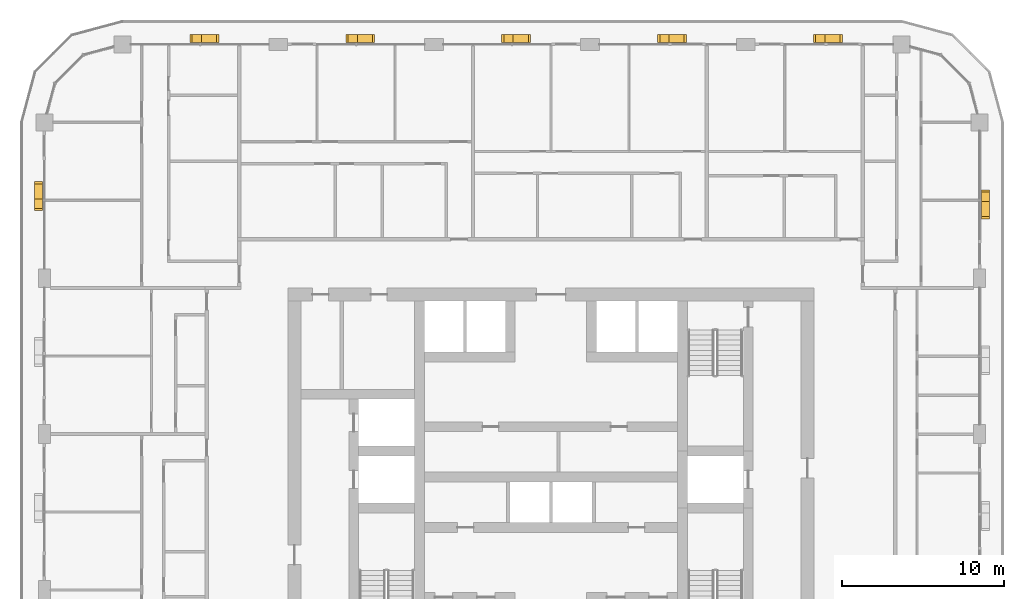
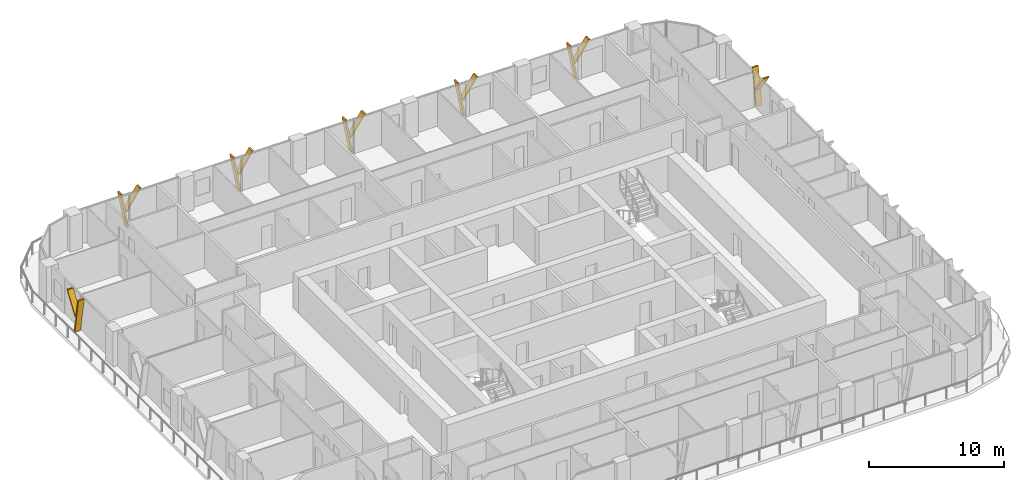
# One storey, part 22 of 22: 14 shading devices.
"""IFC4 building model written with IfcOpenShell, lengths in metres."""

from ifc_helpers import new_model, si_unit, direction, frame, origin, place, context, subcontext, project, spatial, polyline, outline, extrude, material, type_object, element, save


model = new_model("IFC4")

# Units and contexts
model_context = context("Model", 3, precision=1e-05, world=origin(), true_north=direction((0.0, 1.0)))
body_context = subcontext(model_context, "Body", "Model", "MODEL_VIEW")
ifc_project = project(units=[si_unit("LENGTHUNIT", "METRE"), si_unit("AREAUNIT", "SQUARE_METRE"), si_unit("VOLUMEUNIT", "CUBIC_METRE"), si_unit("PLANEANGLEUNIT", "RADIAN"), si_unit("MASSUNIT", "GRAM", prefix="KILO")], contexts=[model_context])

# Site, building, storey
site_placement = place(None, origin())
site = spatial("IfcSite", under=ifc_project, at=site_placement, CompositionType="ELEMENT")
building_placement = place(site_placement, origin())
building = spatial("IfcBuilding", under=site, at=building_placement, Name="Madar Terraces", CompositionType="ELEMENT")
storey_placement = place(building_placement, frame((0.0, 0.0, 119.10009765625)))
storey = spatial("IfcBuildingStorey", under=building, at=storey_placement, Name="L30", CompositionType="ELEMENT", Elevation=119.10009765625)

# Shading devices
ifc_material = material(Name="Aluminium, black anodised", Category="aluminium")
shading_device_type = type_object("IfcShadingDeviceType", Name="Facade fin blade 140 x 500", PredefinedType="USERDEFINED", material=ifc_material)
shading_device_1_placement = place(storey_placement, frame((57.949951171875, 43.1298828125, 0.0), z_axis=(0.0, 0.0, 1.0), x_axis=(0.0, 1.0, 0.0)))
element("IfcShadingDevice", 1, at=shading_device_1_placement, inside=storey, type_object=shading_device_type, Name="FIN L30 E4", ObjectType="FIN", PredefinedType="USERDEFINED", context=body_context, shape_type="SweptSolid", body=[
    extrude(outline(polyline([(0.0, 0.0), (0.14013671875, 0.0), (0.704345703125, 3.199951171875), (0.564208984375, 3.199951171875), (0.0, 0.0)])), frame((0.0, 0.25, 0.0), z_axis=(0.0, -1.0, 0.0), x_axis=(1.0, 0.0, 0.0)), (0.0, 0.0, 1.0), 0.5),
])
shading_device_2_placement = place(storey_placement, frame((57.949951171875, 43.243896484375, 1.43994140625), z_axis=(0.0, 0.0, 1.0), x_axis=(0.0, 1.0, 0.0)))
element("IfcShadingDevice", 2, at=shading_device_2_placement, inside=storey, type_object=shading_device_type, Name="FIN L30 E4 branch", ObjectType="FIN", PredefinedType="USERDEFINED", context=body_context, shape_type="SweptSolid", body=[
    extrude(outline(polyline([(0.0, 0.0), (0.139892578125, 0.0), (-1.049560546875, 1.760009765625), (-1.189697265625, 1.760009765625), (0.0, 0.0)])), frame((0.0, 0.25, 0.0), z_axis=(0.0, -1.0, 0.0), x_axis=(1.0, 0.0, 0.0)), (0.0, 0.0, 1.0), 0.5),
])
shading_device_3_placement = place(storey_placement, frame((48.070068359375, 53.14990234375, 0.0), z_axis=(0.0, 0.0, 1.0), x_axis=(-1.0, 0.0, 0.0)))
element("IfcShadingDevice", 3, at=shading_device_3_placement, inside=storey, type_object=shading_device_type, Name="FIN L30 N1", ObjectType="FIN", PredefinedType="USERDEFINED", context=body_context, shape_type="SweptSolid", body=[
    extrude(outline(polyline([(0.0, 0.0), (0.14013671875, 0.0), (0.704345703125, 3.199951171875), (0.564208984375, 3.199951171875), (0.0, 0.0)])), frame((0.0, 0.25, 0.0), z_axis=(0.0, -1.0, 0.0), x_axis=(1.0, 0.0, 0.0)), (0.0, 0.0, 1.0), 0.5),
])
shading_device_4_placement = place(storey_placement, frame((47.9560546875, 53.14990234375, 1.43994140625), z_axis=(0.0, 0.0, 1.0), x_axis=(-1.0, 0.0, 0.0)))
element("IfcShadingDevice", 4, at=shading_device_4_placement, inside=storey, type_object=shading_device_type, Name="FIN L30 N1 branch", ObjectType="FIN", PredefinedType="USERDEFINED", context=body_context, shape_type="SweptSolid", body=[
    extrude(outline(polyline([(0.0, 0.0), (0.139892578125, 0.0), (-1.049560546875, 1.760009765625), (-1.189697265625, 1.760009765625), (0.0, 0.0)])), frame((0.0, 0.25, 0.0), z_axis=(0.0, -1.0, 0.0), x_axis=(1.0, 0.0, 0.0)), (0.0, 0.0, 1.0), 0.5),
])
shading_device_5_placement = place(storey_placement, frame((38.469970703125, 53.14990234375, 0.0), z_axis=(0.0, 0.0, 1.0), x_axis=(-1.0, 0.0, 0.0)))
element("IfcShadingDevice", 5, at=shading_device_5_placement, inside=storey, type_object=shading_device_type, Name="FIN L30 N2", ObjectType="FIN", PredefinedType="USERDEFINED", context=body_context, shape_type="SweptSolid", body=[
    extrude(outline(polyline([(0.0, 0.0), (0.139892578125, 0.0), (0.704345703125, 3.199951171875), (0.564208984375, 3.199951171875), (0.0, 0.0)])), frame((0.0, 0.25, 0.0), z_axis=(0.0, -1.0, 0.0), x_axis=(1.0, 0.0, 0.0)), (0.0, 0.0, 1.0), 0.5),
])
shading_device_6_placement = place(storey_placement, frame((38.356201171875, 53.14990234375, 1.43994140625), z_axis=(0.0, 0.0, 1.0), x_axis=(-1.0, 0.0, 0.0)))
element("IfcShadingDevice", 6, at=shading_device_6_placement, inside=storey, type_object=shading_device_type, Name="FIN L30 N2 branch", ObjectType="FIN", PredefinedType="USERDEFINED", context=body_context, shape_type="SweptSolid", body=[
    extrude(outline(polyline([(0.0, 0.0), (0.14013671875, 0.0), (-1.049560546875, 1.760009765625), (-1.189697265625, 1.760009765625), (0.0, 0.0)])), frame((0.0, 0.25, 0.0), z_axis=(0.0, -1.0, 0.0), x_axis=(1.0, 0.0, 0.0)), (0.0, 0.0, 1.0), 0.5),
])
shading_device_7_placement = place(storey_placement, frame((28.8701171875, 53.14990234375, 0.0), z_axis=(0.0, 0.0, 1.0), x_axis=(-1.0, 0.0, 0.0)))
element("IfcShadingDevice", 7, at=shading_device_7_placement, inside=storey, type_object=shading_device_type, Name="FIN L30 N3", ObjectType="FIN", PredefinedType="USERDEFINED", context=body_context, shape_type="SweptSolid", body=[
    extrude(outline(polyline([(0.0, 0.0), (0.14013671875, 0.0), (0.704345703125, 3.199951171875), (0.564208984375, 3.199951171875), (0.0, 0.0)])), frame((0.0, 0.25, 0.0), z_axis=(0.0, -1.0, 0.0), x_axis=(1.0, 0.0, 0.0)), (0.0, 0.0, 1.0), 0.5),
])
shading_device_8_placement = place(storey_placement, frame((28.756103515625, 53.14990234375, 1.43994140625), z_axis=(0.0, 0.0, 1.0), x_axis=(-1.0, 0.0, 0.0)))
element("IfcShadingDevice", 8, at=shading_device_8_placement, inside=storey, type_object=shading_device_type, Name="FIN L30 N3 branch", ObjectType="FIN", PredefinedType="USERDEFINED", context=body_context, shape_type="SweptSolid", body=[
    extrude(outline(polyline([(0.0, 0.0), (0.139892578125, 0.0), (-1.049560546875, 1.760009765625), (-1.189697265625, 1.760009765625), (0.0, 0.0)])), frame((0.0, 0.25, 0.0), z_axis=(0.0, -1.0, 0.0), x_axis=(1.0, 0.0, 0.0)), (0.0, 0.0, 1.0), 0.5),
])
shading_device_9_placement = place(storey_placement, frame((19.27001953125, 53.14990234375, 0.0), z_axis=(0.0, 0.0, 1.0), x_axis=(-1.0, 0.0, 0.0)))
element("IfcShadingDevice", 9, at=shading_device_9_placement, inside=storey, type_object=shading_device_type, Name="FIN L30 N4", ObjectType="FIN", PredefinedType="USERDEFINED", context=body_context, shape_type="SweptSolid", body=[
    extrude(outline(polyline([(0.0, 0.0), (0.14013671875, 0.0), (0.704345703125, 3.199951171875), (0.564208984375, 3.199951171875), (0.0, 0.0)])), frame((0.0, 0.25, 0.0), z_axis=(0.0, -1.0, 0.0), x_axis=(1.0, 0.0, 0.0)), (0.0, 0.0, 1.0), 0.5),
])
shading_device_10_placement = place(storey_placement, frame((19.156005859375, 53.14990234375, 1.43994140625), z_axis=(0.0, 0.0, 1.0), x_axis=(-1.0, 0.0, 0.0)))
element("IfcShadingDevice", 10, at=shading_device_10_placement, inside=storey, type_object=shading_device_type, Name="FIN L30 N4 branch", ObjectType="FIN", PredefinedType="USERDEFINED", context=body_context, shape_type="SweptSolid", body=[
    extrude(outline(polyline([(0.0, 0.0), (0.139892578125, 0.0), (-1.049560546875, 1.760009765625), (-1.189697265625, 1.760009765625), (0.0, 0.0)])), frame((0.0, 0.25, 0.0), z_axis=(0.0, -1.0, 0.0), x_axis=(1.0, 0.0, 0.0)), (0.0, 0.0, 1.0), 0.5),
])
shading_device_11_placement = place(storey_placement, frame((9.669921875, 53.14990234375, 0.0), z_axis=(0.0, 0.0, 1.0), x_axis=(-1.0, 0.0, 0.0)))
element("IfcShadingDevice", 11, at=shading_device_11_placement, inside=storey, type_object=shading_device_type, Name="FIN L30 N5", ObjectType="FIN", PredefinedType="USERDEFINED", context=body_context, shape_type="SweptSolid", body=[
    extrude(outline(polyline([(0.0, 0.0), (0.139892578125, 0.0), (0.704345703125, 3.199951171875), (0.564208984375, 3.199951171875), (0.0, 0.0)])), frame((0.0, 0.25, 0.0), z_axis=(0.0, -1.0, 0.0), x_axis=(1.0, 0.0, 0.0)), (0.0, 0.0, 1.0), 0.5),
])
shading_device_12_placement = place(storey_placement, frame((9.55615234375, 53.14990234375, 1.43994140625), z_axis=(0.0, 0.0, 1.0), x_axis=(-1.0, 0.0, 0.0)))
element("IfcShadingDevice", 12, at=shading_device_12_placement, inside=storey, type_object=shading_device_type, Name="FIN L30 N5 branch", ObjectType="FIN", PredefinedType="USERDEFINED", context=body_context, shape_type="SweptSolid", body=[
    extrude(outline(polyline([(0.0, 0.0), (0.14013671875, 0.0), (-1.049560546875, 1.760009765625), (-1.189697265625, 1.760009765625), (0.0, 0.0)])), frame((0.0, 0.25, 0.0), z_axis=(0.0, -1.0, 0.0), x_axis=(1.0, 0.0, 0.0)), (0.0, 0.0, 1.0), 0.5),
])
shading_device_13_placement = place(storey_placement, frame((-0.35009765625, 43.27001953125, 0.0), z_axis=(0.0, 0.0, 1.0), x_axis=(0.0, -1.0, 0.0)))
element("IfcShadingDevice", 13, at=shading_device_13_placement, inside=storey, type_object=shading_device_type, Name="FIN L30 W1", ObjectType="FIN", PredefinedType="USERDEFINED", context=body_context, shape_type="SweptSolid", body=[
    extrude(outline(polyline([(0.0, 0.0), (0.14013671875, 0.0), (0.704345703125, 3.199951171875), (0.564208984375, 3.199951171875), (0.0, 0.0)])), frame((0.0, 0.25, 0.0), z_axis=(0.0, -1.0, 0.0), x_axis=(1.0, 0.0, 0.0)), (0.0, 0.0, 1.0), 0.5),
])
shading_device_14_placement = place(storey_placement, frame((-0.35009765625, 43.156005859375, 1.43994140625), z_axis=(0.0, 0.0, 1.0), x_axis=(0.0, -1.0, 0.0)))
element("IfcShadingDevice", 14, at=shading_device_14_placement, inside=storey, type_object=shading_device_type, Name="FIN L30 W1 branch", ObjectType="FIN", PredefinedType="USERDEFINED", context=body_context, shape_type="SweptSolid", body=[
    extrude(outline(polyline([(0.0, 0.0), (0.139892578125, 0.0), (-1.049560546875, 1.760009765625), (-1.189697265625, 1.760009765625), (0.0, 0.0)])), frame((0.0, 0.25, 0.0), z_axis=(0.0, -1.0, 0.0), x_axis=(1.0, 0.0, 0.0)), (0.0, 0.0, 1.0), 0.5),
])

save(model, "model.ifc")
